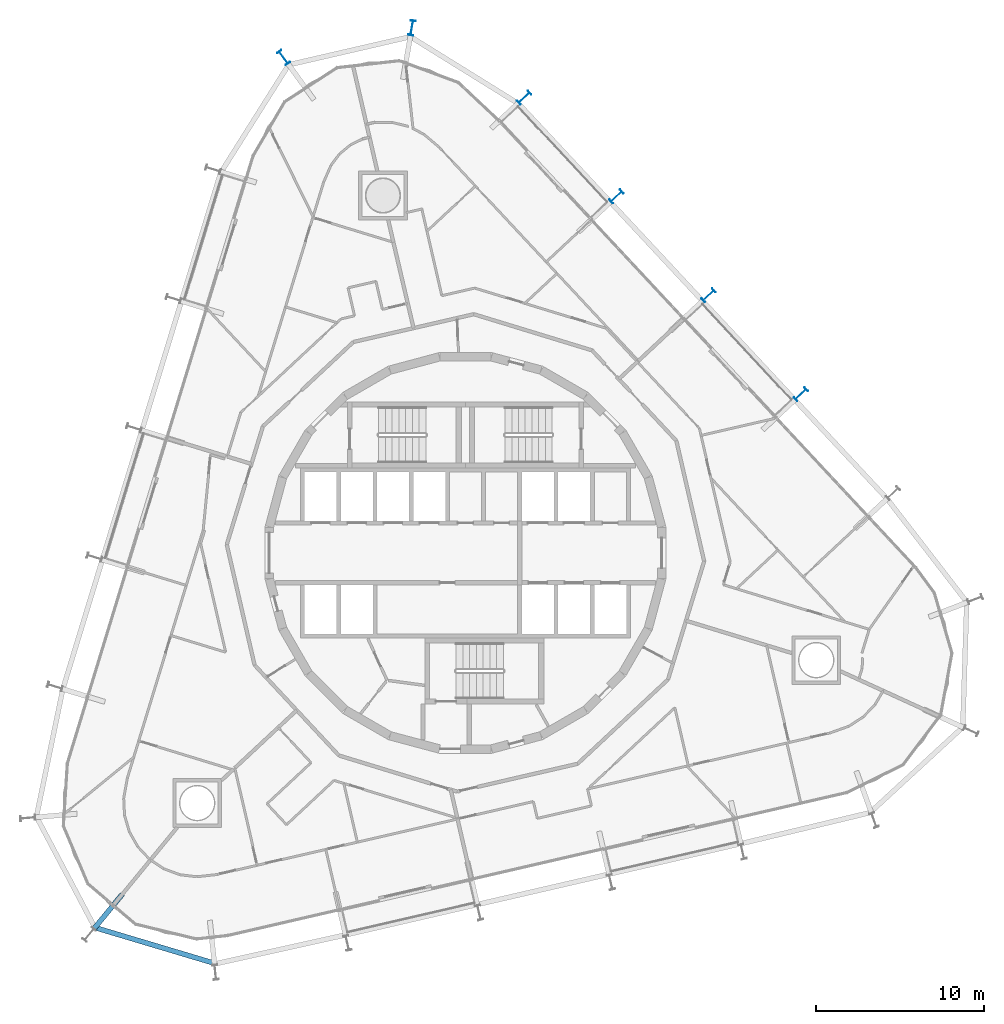
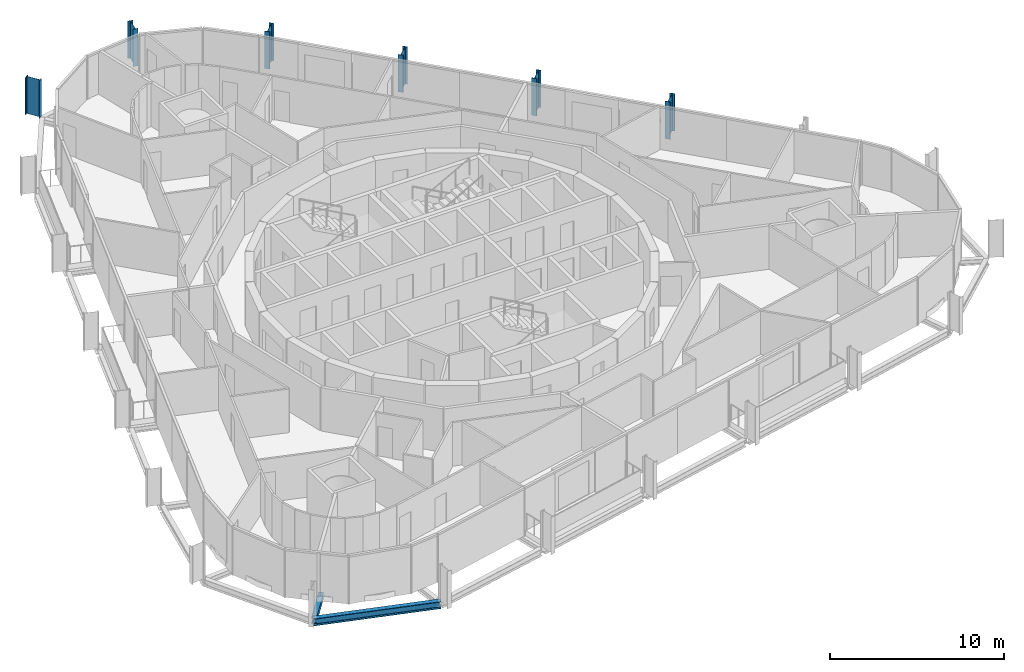
# One storey, part 2 of 18: 6 columns, 2 beams.
"""IFC4 building model written with IfcOpenShell, lengths in metres."""

from ifc_helpers import new_model, si_unit, direction, frame, origin, origin_2d, place, context, subcontext, project, spatial, i_section, extrude, material, material_profile, profile_set, type_object, element, save


model = new_model("IFC4")

# Units and contexts
model_context = context("Model", 3, precision=1e-05, world=origin(), true_north=direction((0.0, 1.0)))
body_context = subcontext(model_context, "Body", "Model", "MODEL_VIEW")
ifc_project = project(units=[si_unit("LENGTHUNIT", "METRE"), si_unit("AREAUNIT", "SQUARE_METRE"), si_unit("VOLUMEUNIT", "CUBIC_METRE"), si_unit("PLANEANGLEUNIT", "RADIAN"), si_unit("MASSUNIT", "GRAM", prefix="KILO")], contexts=[model_context])

# Site, building, storey
site_placement = place(None, origin())
site = spatial("IfcSite", under=ifc_project, at=site_placement, CompositionType="ELEMENT")
building_placement = place(site_placement, origin())
building = spatial("IfcBuilding", under=site, at=building_placement, Name="Spindle Arch Residences", CompositionType="ELEMENT")
storey_placement = place(building_placement, frame((0.0, 0.0, 141.39990234375)))
storey = spatial("IfcBuildingStorey", under=building, at=storey_placement, Name="L35", CompositionType="ELEMENT", Elevation=141.39990234375)

# Columns
ifc_material_1 = material(Name="Steel S460ML, intumescent coating R 240", Category="steel")
ifc_material_profile_1 = material_profile(ifc_material_1, i_section(OverallWidth=0.300048828125, OverallDepth=0.89990234375, WebThickness=0.0185546875, FlangeThickness=0.034912109375, FilletRadius=0.030029296875, at=origin_2d()), Name="HEB 900")
ifc_profile_set_1 = profile_set([ifc_material_profile_1], Name="Steel S460ML, intumescent coating R 240")
column_type = type_object("IfcColumnType", Name="Exoskeleton post HEB 900", PredefinedType="COLUMN", material=ifc_profile_set_1)
for number, where, z_axis, x_axis, name in (
    (1, (19.9150390625, 9.42236328125, -0.3798828125), (0.0, 0.0, 1.0), (0.68199801865, -0.731354019992, 0.0), "Exoskeleton post 7"),
    (2, (14.439208984375, 15.29443359375, -0.3798828125), (0.0, 0.0, 1.0), (0.68199801865, -0.731354019992, 0.0), "Exoskeleton post 8"),
    (3, (8.963134765625, 21.16650390625, -0.3798828125), (0.0, 0.0, 1.0), (0.68199801865, -0.731354019992, 0.0), "Exoskeleton post 9"),
    (4, (3.4873046875, 27.038818359375, -0.3798828125), (0.0, 0.0, 1.0), (0.68199801865, -0.731354019992, 0.0), "Exoskeleton post 10"),
    (5, (-3.185302734375, 31.177001953125, -0.3798828125), (0.0, 0.0, 1.0), (0.985484585876, -0.169764928655, 0.0), "Exoskeleton post 11"),
    (6, (-10.80419921875, 29.41796875, -0.3798828125), (0.0, 0.0, 1.0), (0.811328097008, 0.584591069898, 0.0), "Exoskeleton post 12"),
):
    element("IfcColumn", number, at=place(storey_placement, frame(where, z_axis=z_axis, x_axis=x_axis)), inside=storey, type_object=column_type, Name=name, PredefinedType="COLUMN", context=body_context, shape_type="SweptSolid", body=[
        extrude(i_section(OverallWidth=0.300048828125, OverallDepth=0.89990234375, WebThickness=0.0185546875, FlangeThickness=0.034912109375, FilletRadius=0.030029296875, at=origin_2d()), origin(), (0.0, 0.0, 1.0), 2.615966796875),
    ])

# Beams
ifc_material_2 = material(Name="Steel S460ML, intumescent coating R 120", Category="steel")
ifc_material_profile_2 = material_profile(ifc_material_2, i_section(OverallWidth=0.300048828125, OverallDepth=0.5, WebThickness=0.014404296875, FlangeThickness=0.028076171875, FilletRadius=0.027099609375, at=origin_2d()), Name="HEB 500")
ifc_profile_set_2 = profile_set([ifc_material_profile_2], Name="Steel S460ML, intumescent coating R 120")
beam_type_1 = type_object("IfcBeamType", Name="Exoskeleton edge beam HEB 500", PredefinedType="BEAM", material=ifc_profile_set_2)
beam_1_placement = place(storey_placement, frame((-22.077392578125, -22.2265625, -0.6298828125), z_axis=(0.95815808572, -0.286239554865, 0.0), x_axis=(0.286239554865, 0.95815808572, 0.0)))
element("IfcBeam", 7, at=beam_1_placement, inside=storey, type_object=beam_type_1, Name="Exoskeleton edge beam 19", PredefinedType="BEAM", context=body_context, shape_type="SweptSolid", body=[
    extrude(i_section(OverallWidth=0.300048828125, OverallDepth=0.5, WebThickness=0.014404296875, FlangeThickness=0.028076171875, FilletRadius=0.027099609375, at=origin_2d()), origin(), (0.0, 0.0, 1.0), 7.5595703125),
])
ifc_material_3 = material(Name="Steel S460ML, intumescent coating R 120", Category="steel")
ifc_material_profile_3 = material_profile(ifc_material_3, i_section(OverallWidth=0.300048828125, OverallDepth=0.389892578125, WebThickness=0.010986328125, FlangeThickness=0.01904296875, FilletRadius=0.027099609375, at=origin_2d()), Name="HEA 400")
ifc_profile_set_3 = profile_set([ifc_material_profile_3], Name="Steel S460ML, intumescent coating R 120")
beam_type_2 = type_object("IfcBeamType", Name="Floor outrigger HEA 400", PredefinedType="BEAM", material=ifc_profile_set_3)
beam_2_placement = place(storey_placement, frame((-22.056396484375, -22.31103515625, -0.574951171875), z_axis=(0.634821942797, 0.772658463323, 0.0), x_axis=(-0.772658463323, 0.634821942797, 0.0)))
element("IfcBeam", 8, at=beam_2_placement, inside=storey, type_object=beam_type_2, Name="Floor outrigger 19", PredefinedType="BEAM", context=body_context, shape_type="SweptSolid", body=[
    extrude(i_section(OverallWidth=0.300048828125, OverallDepth=0.389892578125, WebThickness=0.010986328125, FlangeThickness=0.01904296875, FilletRadius=0.027099609375, at=origin_2d()), origin(), (0.0, 0.0, 1.0), 2.649658203125),
])

save(model, "model.ifc")
